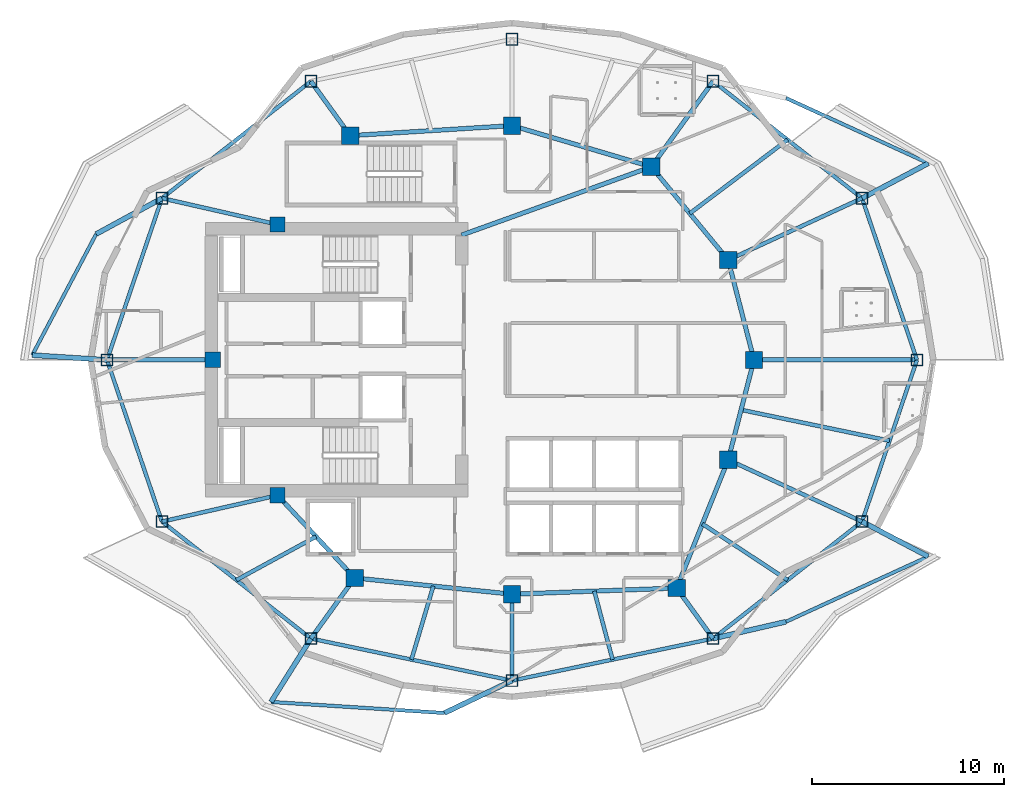
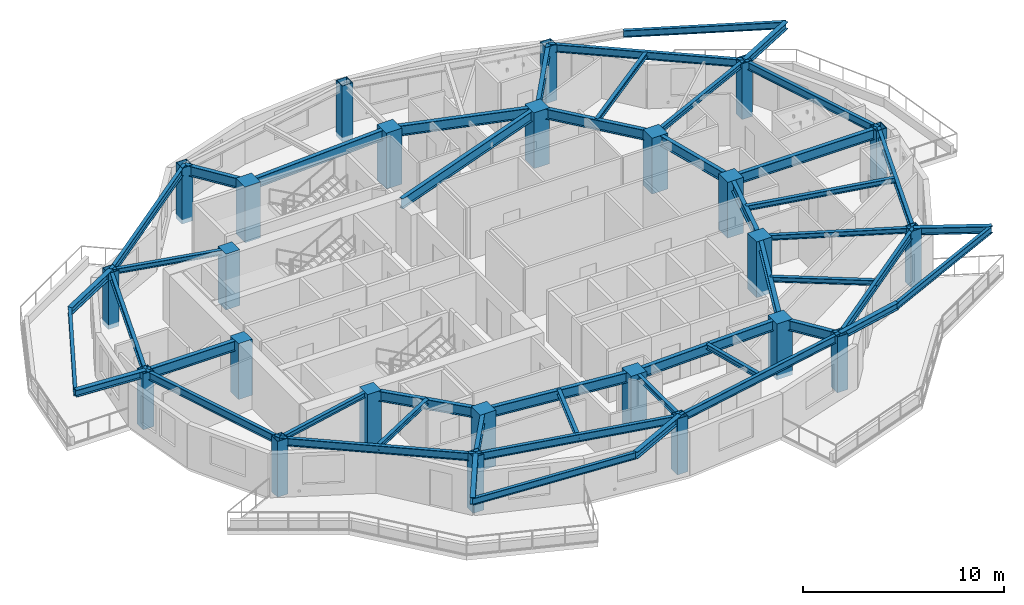
# One storey, part 1 of 10: 48 beams, 24 columns.
"""IFC4 building model written with IfcOpenShell, lengths in metres."""

from ifc_helpers import new_model, si_unit, direction, frame, origin, origin_2d, place, context, subcontext, project, spatial, rectangle, hollow_rectangle, i_section, extrude, material, material_profile, profile_set, type_object, element, save


model = new_model("IFC4")

# Units and contexts
model_context = context("Model", 3, precision=1e-05, world=origin(), true_north=direction((0.0, 1.0)))
body_context = subcontext(model_context, "Body", "Model", "MODEL_VIEW")
ifc_project = project(units=[si_unit("LENGTHUNIT", "METRE"), si_unit("AREAUNIT", "SQUARE_METRE"), si_unit("VOLUMEUNIT", "CUBIC_METRE"), si_unit("PLANEANGLEUNIT", "RADIAN"), si_unit("MASSUNIT", "GRAM", prefix="KILO")], contexts=[model_context])

# Site, building, storey
site_placement = place(None, origin())
site = spatial("IfcSite", under=ifc_project, at=site_placement, CompositionType="ELEMENT")
building_placement = place(site_placement, origin())
building = spatial("IfcBuilding", under=site, at=building_placement, Name="Kolvaren Gate Tower and Convention Centre", CompositionType="ELEMENT")
storey_placement = place(building_placement, frame((0.0, 0.0, 146.10009765625)))
storey = spatial("IfcBuildingStorey", under=building, at=storey_placement, Name="L37", CompositionType="ELEMENT", Elevation=146.10009765625)

# Columns
ifc_material_1 = material(Name="Structural steel ASTM A1085 Grade A 345 MPa", Category="steel")
ifc_material_profile_1 = material_profile(ifc_material_1, hollow_rectangle(XDim=0.610107421875, YDim=0.610107421875, WallThickness=0.025390625, at=origin_2d()), Name="HSS610X610X25.4")
ifc_profile_set_1 = profile_set([ifc_material_profile_1], Name="Structural steel ASTM A1085 Grade A 345 MPa")
column_type_1 = type_object("IfcColumnType", Name="STR-COL-HSS610", PredefinedType="COLUMN", material=ifc_profile_set_1)
for number, where, z_axis, x_axis, name in (
    (1, (51.21240234375, 27.0, -0.27001953125), (0.0, 0.0, 1.0), (1.0, 0.0, 0.0), "Tower L37 Perimeter Supercolumn TP-01"),
    (2, (48.351806640625, 35.418701171875, -0.27001953125), (0.0, 0.0, 1.0), (1.0, 0.0, 0.0), "Tower L37 Perimeter Supercolumn TP-02"),
    (3, (40.596435546875, 41.509521484375, -0.27001953125), (0.0, 0.0, 1.0), (1.0, 0.0, 0.0), "Tower L37 Perimeter Supercolumn TP-03"),
    (4, (30.125, 43.699951171875, -0.27001953125), (0.0, 0.0, 1.0), (1.0, 0.0, 0.0), "Tower L37 Perimeter Supercolumn TP-04"),
    (5, (19.65380859375, 41.509521484375, -0.27001953125), (0.0, 0.0, 1.0), (1.0, 0.0, 0.0), "Tower L37 Perimeter Supercolumn TP-05"),
    (6, (11.898193359375, 35.418701171875, -0.27001953125), (0.0, 0.0, 1.0), (1.0, 0.0, 0.0), "Tower L37 Perimeter Supercolumn TP-06"),
    (7, (9.03759765625, 27.0, -0.27001953125), (0.0, 0.0, 1.0), (1.0, 0.0, 0.0), "Tower L37 Perimeter Supercolumn TP-07"),
    (8, (11.898193359375, 18.581298828125, -0.27001953125), (0.0, 0.0, 1.0), (1.0, 0.0, 0.0), "Tower L37 Perimeter Supercolumn TP-08"),
    (9, (19.653564453125, 12.490478515625, -0.27001953125), (0.0, 0.0, 1.0), (1.0, 0.0, 0.0), "Tower L37 Perimeter Supercolumn TP-09"),
    (10, (30.125, 10.300048828125, -0.27001953125), (0.0, 0.0, 1.0), (1.0, 0.0, 0.0), "Tower L37 Perimeter Supercolumn TP-10"),
    (11, (40.596435546875, 12.490478515625, -0.27001953125), (0.0, 0.0, 1.0), (1.0, 0.0, 0.0), "Tower L37 Perimeter Supercolumn TP-11"),
    (12, (48.351806640625, 18.581298828125, -0.27001953125), (0.0, 0.0, 1.0), (1.0, 0.0, 0.0), "Tower L37 Perimeter Supercolumn TP-12"),
):
    element("IfcColumn", number, at=place(storey_placement, frame(where, z_axis=z_axis, x_axis=x_axis)), inside=storey, type_object=column_type_1, Name=name, PredefinedType="COLUMN", context=body_context, shape_type="SweptSolid", body=[
        extrude(hollow_rectangle(XDim=0.610107421875, YDim=0.610107421875, WallThickness=0.025390625, at=origin_2d()), origin(), (0.0, 0.0, 1.0), 3.39990234375),
    ])
ifc_material_2 = material(Name="Concrete C60/75", Category="concrete")
ifc_material_profile_2 = material_profile(ifc_material_2, rectangle(XDim=0.89990234375, YDim=0.89990234375, at=origin_2d()), Name="RC-COL-900X900")
ifc_profile_set_2 = profile_set([ifc_material_profile_2], Name="Concrete C60/75")
column_type_2 = type_object("IfcColumnType", Name="STR-COL-RC900", PredefinedType="COLUMN", material=ifc_profile_set_2)
for number, where, z_axis, x_axis, name in (
    (13, (42.72509765625, 27.0, -0.27001953125), (0.0, 0.0, 1.0), (1.0, 0.0, 0.0), "Tower L37 Interior Column TI-01"),
    (14, (41.382080078125, 32.199462890625, -0.27001953125), (0.0, 0.0, 1.0), (1.0, 0.0, 0.0), "Tower L37 Interior Column TI-02"),
    (15, (37.381591796875, 37.054931640625, -0.27001953125), (0.0, 0.0, 1.0), (1.0, 0.0, 0.0), "Tower L37 Interior Column TI-03"),
    (16, (30.125, 39.199951171875, -0.27001953125), (0.0, 0.0, 1.0), (1.0, 0.0, 0.0), "Tower L37 Interior Column TI-04"),
    (17, (21.697998046875, 38.6767578125, -0.27001953125), (0.0, 0.0, 1.0), (1.0, 0.0, 0.0), "Tower L37 Interior Column TI-05"),
    (18, (21.93212890625, 15.647705078125, -0.27001953125), (0.0, 0.0, 1.0), (1.0, 0.0, 0.0), "Tower L37 Interior Column TI-06"),
    (19, (30.125, 14.800048828125, -0.27001953125), (0.0, 0.0, 1.0), (1.0, 0.0, 0.0), "Tower L37 Interior Column TI-07"),
    (20, (38.6982421875, 15.12060546875, -0.27001953125), (0.0, 0.0, 1.0), (1.0, 0.0, 0.0), "Tower L37 Interior Column TI-08"),
    (21, (41.382080078125, 21.800537109375, -0.27001953125), (0.0, 0.0, 1.0), (1.0, 0.0, 0.0), "Tower L37 Interior Column TI-09"),
):
    element("IfcColumn", number, at=place(storey_placement, frame(where, z_axis=z_axis, x_axis=x_axis)), inside=storey, type_object=column_type_2, Name=name, PredefinedType="COLUMN", context=body_context, shape_type="SweptSolid", body=[
        extrude(rectangle(XDim=0.89990234375, YDim=0.89990234375, at=origin_2d()), origin(), (0.0, 0.0, 1.0), 3.39990234375),
    ])
ifc_material_profile_3 = material_profile(ifc_material_2, rectangle(XDim=0.800048828125, YDim=0.800048828125, at=origin_2d()), Name="RC-COL-800X800")
ifc_profile_set_3 = profile_set([ifc_material_profile_3], Name="Concrete C60/75")
column_type_3 = type_object("IfcColumnType", Name="STR-PIL-RC800", PredefinedType="PILASTER", material=ifc_profile_set_3)
for number, where, z_axis, x_axis, name in (
    (22, (17.9140625, 34.050048828125, -0.27001953125), (0.0, 0.0, 1.0), (1.0, 0.0, 0.0), "Tower L37 Core Boundary Pilaster TC-05"),
    (23, (14.550048828125, 27.0, -0.27001953125), (0.0, 0.0, 1.0), (1.0, 0.0, 0.0), "Tower L37 Core Boundary Pilaster TC-06"),
    (24, (17.9140625, 19.949951171875, -0.27001953125), (0.0, 0.0, 1.0), (1.0, 0.0, 0.0), "Tower L37 Core Boundary Pilaster TC-07"),
):
    element("IfcColumn", number, at=place(storey_placement, frame(where, z_axis=z_axis, x_axis=x_axis)), inside=storey, type_object=column_type_3, Name=name, PredefinedType="PILASTER", context=body_context, shape_type="SweptSolid", body=[
        extrude(rectangle(XDim=0.800048828125, YDim=0.800048828125, at=origin_2d()), origin(), (0.0, 0.0, 1.0), 3.39990234375),
    ])

# Beams
ifc_material_3 = material(Name="Structural steel ASTM A992 Grade 345 MPa", Category="steel")
ifc_material_profile_4 = material_profile(ifc_material_3, i_section(OverallWidth=0.260009765625, OverallDepth=0.419921875, WebThickness=0.013427734375, FlangeThickness=0.0224609375, at=origin_2d()), Name="W410X132")
ifc_profile_set_4 = profile_set([ifc_material_profile_4], Name="Structural steel ASTM A992 Grade 345 MPa")
beam_type_1 = type_object("IfcBeamType", Name="STR-BM-W410X132", PredefinedType="BEAM", material=ifc_profile_set_4)
for number, where, z_axis, x_axis, name in (
    (25, (48.351806640625, 35.418701171875, 2.92041015625), (0.884317267836, 0.466886463508, 0.0), (-0.466886463508, 0.884317267836, 0.0), "Tower L38 Planted Balcony Outrigger Cantilever BC-1A"),
    (26, (11.898193359375, 35.418701171875, 2.92041015625), (-0.878175335842, -0.47833887519, 0.0), (0.47833887519, -0.878175335842, 0.0), "Tower L38 Planted Balcony Outrigger Cantilever BC-2A"),
    (27, (9.03759765625, 27.0, 2.92041015625), (-0.997967389097, 0.063726684362, 0.0), (-0.063726684362, -0.997967389097, 0.0), "Tower L38 Planted Balcony Outrigger Cantilever BC-2B"),
):
    element("IfcBeam", number, at=place(storey_placement, frame(where, z_axis=z_axis, x_axis=x_axis)), inside=storey, type_object=beam_type_1, Name=name, PredefinedType="BEAM", context=body_context, shape_type="SweptSolid", body=[
        extrude(i_section(OverallWidth=0.260009765625, OverallDepth=0.419921875, WebThickness=0.013427734375, FlangeThickness=0.0224609375, at=origin_2d()), origin(), (0.0, 0.0, 1.0), 3.89990234375),
    ])
beam_1_placement = place(storey_placement, frame((19.653564453125, 12.490478515625, 2.92041015625), z_axis=(-0.532635592703, -0.846344684739, 0.0), x_axis=(0.846344684739, -0.532635592703, 0.0)))
element("IfcBeam", 28, at=beam_1_placement, inside=storey, type_object=beam_type_1, Name="Tower L38 Planted Balcony Outrigger Cantilever BC-3A", PredefinedType="BEAM", context=body_context, shape_type="SweptSolid", body=[
    extrude(i_section(OverallWidth=0.260009765625, OverallDepth=0.419921875, WebThickness=0.013427734375, FlangeThickness=0.0224609375, at=origin_2d()), origin(), (0.0, 0.0, 1.0), 3.899658203125),
])
beam_2_placement = place(storey_placement, frame((30.125, 10.300048828125, 2.92041015625), z_axis=(-0.901728089649, -0.432303657558, 0.0), x_axis=(0.432303657558, -0.901728089649, 0.0)))
element("IfcBeam", 29, at=beam_2_placement, inside=storey, type_object=beam_type_1, Name="Tower L38 Planted Balcony Outrigger Cantilever BC-3B", PredefinedType="BEAM", context=body_context, shape_type="SweptSolid", body=[
    extrude(i_section(OverallWidth=0.260009765625, OverallDepth=0.419921875, WebThickness=0.013427734375, FlangeThickness=0.0224609375, at=origin_2d()), origin(), (0.0, 0.0, 1.0), 3.900146484375),
])
for number, where, z_axis, x_axis, name in (
    (30, (40.596435546875, 12.490478515625, 2.92041015625), (0.974390140605, 0.224864078706, 0.0), (-0.224864078706, 0.974390140605, 0.0), "Tower L38 Planted Balcony Outrigger Cantilever BC-4A"),
    (31, (48.351806640625, 18.581298828125, 2.92041015625), (0.884317267836, -0.466886463508, 0.0), (0.466886463508, 0.884317267836, 0.0), "Tower L38 Planted Balcony Outrigger Cantilever BC-4B"),
):
    element("IfcBeam", number, at=place(storey_placement, frame(where, z_axis=z_axis, x_axis=x_axis)), inside=storey, type_object=beam_type_1, Name=name, PredefinedType="BEAM", context=body_context, shape_type="SweptSolid", body=[
        extrude(i_section(OverallWidth=0.260009765625, OverallDepth=0.419921875, WebThickness=0.013427734375, FlangeThickness=0.0224609375, at=origin_2d()), origin(), (0.0, 0.0, 1.0), 3.89990234375),
    ])
ifc_material_profile_5 = material_profile(ifc_material_3, i_section(OverallWidth=0.22998046875, OverallDepth=0.616943359375, WebThickness=0.01318359375, FlangeThickness=0.022216796875, at=origin_2d()), Name="W610X140")
ifc_profile_set_5 = profile_set([ifc_material_profile_5], Name="Structural steel ASTM A992 Grade 345 MPa")
beam_type_2 = type_object("IfcBeamType", Name="STR-BM-W610X140", PredefinedType="BEAM", material=ifc_profile_set_5)
beam_3_placement = place(storey_placement, frame((42.72509765625, 27.0, 2.8212890625), z_axis=(-0.250091133936, -0.968222301296, 0.0), x_axis=(0.968222301296, -0.250091133936, 0.0)))
element("IfcBeam", 32, at=beam_3_placement, inside=storey, type_object=beam_type_2, Name="Tower L37 Primary Ring Girder G-01", PredefinedType="BEAM", context=body_context, shape_type="SweptSolid", body=[
    extrude(i_section(OverallWidth=0.22998046875, OverallDepth=0.616943359375, WebThickness=0.01318359375, FlangeThickness=0.022216796875, at=origin_2d()), origin(), (0.0, 0.0, 1.0), 5.3701171875),
])
beam_4_placement = place(storey_placement, frame((41.382080078125, 32.199462890625, 2.8212890625), z_axis=(-0.635884066011, 0.771784590798, 0.0), x_axis=(-0.771784590798, -0.635884066011, 0.0)))
element("IfcBeam", 33, at=beam_4_placement, inside=storey, type_object=beam_type_2, Name="Tower L37 Primary Ring Girder G-02", PredefinedType="BEAM", context=body_context, shape_type="SweptSolid", body=[
    extrude(i_section(OverallWidth=0.22998046875, OverallDepth=0.616943359375, WebThickness=0.01318359375, FlangeThickness=0.022216796875, at=origin_2d()), origin(), (0.0, 0.0, 1.0), 6.291259765625),
])
beam_5_placement = place(storey_placement, frame((37.381591796875, 37.054931640625, 2.8212890625), z_axis=(-0.958980837827, 0.283470902706, 0.0), x_axis=(-0.283470902706, -0.958980837827, 0.0)))
element("IfcBeam", 34, at=beam_5_placement, inside=storey, type_object=beam_type_2, Name="Tower L37 Primary Ring Girder G-03", PredefinedType="BEAM", context=body_context, shape_type="SweptSolid", body=[
    extrude(i_section(OverallWidth=0.22998046875, OverallDepth=0.616943359375, WebThickness=0.01318359375, FlangeThickness=0.022216796875, at=origin_2d()), origin(), (0.0, 0.0, 1.0), 7.56689453125),
])
beam_6_placement = place(storey_placement, frame((30.125, 39.199951171875, 2.8212890625), z_axis=(-0.998078258568, -0.06196603726, 0.0), x_axis=(0.06196603726, -0.998078258568, 0.0)))
element("IfcBeam", 35, at=beam_6_placement, inside=storey, type_object=beam_type_2, Name="Tower L37 Primary Ring Girder G-04", PredefinedType="BEAM", context=body_context, shape_type="SweptSolid", body=[
    extrude(i_section(OverallWidth=0.22998046875, OverallDepth=0.616943359375, WebThickness=0.01318359375, FlangeThickness=0.022216796875, at=origin_2d()), origin(), (0.0, 0.0, 1.0), 8.443115234375),
])
beam_7_placement = place(storey_placement, frame((17.9140625, 19.949951171875, 2.8212890625), z_axis=(0.682557592987, -0.730831808459, 0.0), x_axis=(0.730831808459, 0.682557592987, 0.0)))
element("IfcBeam", 36, at=beam_7_placement, inside=storey, type_object=beam_type_2, Name="Tower L37 Primary Ring Girder G-06", PredefinedType="BEAM", context=body_context, shape_type="SweptSolid", body=[
    extrude(i_section(OverallWidth=0.22998046875, OverallDepth=0.616943359375, WebThickness=0.01318359375, FlangeThickness=0.022216796875, at=origin_2d()), origin(), (0.0, 0.0, 1.0), 5.88671875),
])
beam_8_placement = place(storey_placement, frame((21.93212890625, 15.647705078125, 2.8212890625), z_axis=(0.994690329115, -0.102913308978, 0.0), x_axis=(0.102913308978, 0.994690329115, 0.0)))
element("IfcBeam", 37, at=beam_8_placement, inside=storey, type_object=beam_type_2, Name="Tower L37 Primary Ring Girder G-07", PredefinedType="BEAM", context=body_context, shape_type="SweptSolid", body=[
    extrude(i_section(OverallWidth=0.22998046875, OverallDepth=0.616943359375, WebThickness=0.01318359375, FlangeThickness=0.022216796875, at=origin_2d()), origin(), (0.0, 0.0, 1.0), 8.236572265625),
])
beam_9_placement = place(storey_placement, frame((30.125, 14.800048828125, 2.8212890625), z_axis=(0.999301712453, 0.037364254142, 0.0), x_axis=(-0.037364254142, 0.999301712453, 0.0)))
element("IfcBeam", 38, at=beam_9_placement, inside=storey, type_object=beam_type_2, Name="Tower L37 Primary Ring Girder G-08", PredefinedType="BEAM", context=body_context, shape_type="SweptSolid", body=[
    extrude(i_section(OverallWidth=0.22998046875, OverallDepth=0.616943359375, WebThickness=0.01318359375, FlangeThickness=0.022216796875, at=origin_2d()), origin(), (0.0, 0.0, 1.0), 8.579345703125),
])
beam_10_placement = place(storey_placement, frame((38.6982421875, 15.12060546875, 2.8212890625), z_axis=(0.372811100169, 0.927907260232, 0.0), x_axis=(-0.927907260232, 0.372811100169, 0.0)))
element("IfcBeam", 39, at=beam_10_placement, inside=storey, type_object=beam_type_2, Name="Tower L37 Primary Ring Girder G-09", PredefinedType="BEAM", context=body_context, shape_type="SweptSolid", body=[
    extrude(i_section(OverallWidth=0.22998046875, OverallDepth=0.616943359375, WebThickness=0.01318359375, FlangeThickness=0.022216796875, at=origin_2d()), origin(), (0.0, 0.0, 1.0), 7.198974609375),
])
beam_11_placement = place(storey_placement, frame((27.5, 33.5, 2.8212890625), z_axis=(0.940961479908, 0.338513653093, 0.0), x_axis=(-0.338513653093, 0.940961479908, 0.0)))
element("IfcBeam", 40, at=beam_11_placement, inside=storey, type_object=beam_type_2, Name="Tower L37 Primary Ring Girder G-10", PredefinedType="BEAM", context=body_context, shape_type="SweptSolid", body=[
    extrude(i_section(OverallWidth=0.22998046875, OverallDepth=0.616943359375, WebThickness=0.01318359375, FlangeThickness=0.022216796875, at=origin_2d()), origin(), (0.0, 0.0, 1.0), 10.501708984375),
])
beam_12_placement = place(storey_placement, frame((42.72509765625, 27.0, 2.8212890625), z_axis=(-0.250091133936, 0.968222301296, 0.0), x_axis=(-0.968222301296, -0.250091133936, 0.0)))
element("IfcBeam", 41, at=beam_12_placement, inside=storey, type_object=beam_type_2, Name="Tower L37 Primary Ring Girder G-12", PredefinedType="BEAM", context=body_context, shape_type="SweptSolid", body=[
    extrude(i_section(OverallWidth=0.22998046875, OverallDepth=0.616943359375, WebThickness=0.01318359375, FlangeThickness=0.022216796875, at=origin_2d()), origin(), (0.0, 0.0, 1.0), 5.3701171875),
])
beam_13_placement = place(storey_placement, frame((42.72509765625, 27.0, 2.8212890625), z_axis=(1.0, 0.0, 0.0), x_axis=(0.0, 1.0, 0.0)))
element("IfcBeam", 42, at=beam_13_placement, inside=storey, type_object=beam_type_2, Name="Tower L37 Radial Floor Girder RB-01", PredefinedType="BEAM", context=body_context, shape_type="SweptSolid", body=[
    extrude(i_section(OverallWidth=0.22998046875, OverallDepth=0.616943359375, WebThickness=0.01318359375, FlangeThickness=0.022216796875, at=origin_2d()), origin(), (0.0, 0.0, 1.0), 8.4873046875),
])
beam_14_placement = place(storey_placement, frame((37.381591796875, 37.054931640625, 2.8212890625), z_axis=(0.58520818289, 0.810883088169, 0.0), x_axis=(-0.810883088169, 0.58520818289, 0.0)))
element("IfcBeam", 43, at=beam_14_placement, inside=storey, type_object=beam_type_2, Name="Tower L37 Radial Floor Girder RB-03", PredefinedType="BEAM", context=body_context, shape_type="SweptSolid", body=[
    extrude(i_section(OverallWidth=0.22998046875, OverallDepth=0.616943359375, WebThickness=0.01318359375, FlangeThickness=0.022216796875, at=origin_2d()), origin(), (0.0, 0.0, 1.0), 5.493408203125),
])
beam_15_placement = place(storey_placement, frame((21.697998046875, 38.6767578125, 2.8212890625), z_axis=(-0.585171547435, 0.810909526441, 0.0), x_axis=(-0.810909526441, -0.585171547435, 0.0)))
element("IfcBeam", 44, at=beam_15_placement, inside=storey, type_object=beam_type_2, Name="Tower L37 Radial Floor Girder RB-05", PredefinedType="BEAM", context=body_context, shape_type="SweptSolid", body=[
    extrude(i_section(OverallWidth=0.22998046875, OverallDepth=0.616943359375, WebThickness=0.01318359375, FlangeThickness=0.022216796875, at=origin_2d()), origin(), (0.0, 0.0, 1.0), 3.493408203125),
])
beam_16_placement = place(storey_placement, frame((14.550048828125, 27.0, 2.8212890625), z_axis=(-1.0, 0.0, 0.0), x_axis=(0.0, -1.0, 0.0)))
element("IfcBeam", 45, at=beam_16_placement, inside=storey, type_object=beam_type_2, Name="Tower L37 Radial Floor Girder RB-07", PredefinedType="BEAM", context=body_context, shape_type="SweptSolid", body=[
    extrude(i_section(OverallWidth=0.22998046875, OverallDepth=0.616943359375, WebThickness=0.01318359375, FlangeThickness=0.022216796875, at=origin_2d()), origin(), (0.0, 0.0, 1.0), 5.512451171875),
])
beam_17_placement = place(storey_placement, frame((21.93212890625, 15.647705078125, 2.8212890625), z_axis=(-0.585211215329, -0.810880899672, 0.0), x_axis=(0.810880899672, -0.585211215329, 0.0)))
element("IfcBeam", 46, at=beam_17_placement, inside=storey, type_object=beam_type_2, Name="Tower L37 Radial Floor Girder RB-09", PredefinedType="BEAM", context=body_context, shape_type="SweptSolid", body=[
    extrude(i_section(OverallWidth=0.22998046875, OverallDepth=0.616943359375, WebThickness=0.01318359375, FlangeThickness=0.022216796875, at=origin_2d()), origin(), (0.0, 0.0, 1.0), 3.8935546875),
])
beam_18_placement = place(storey_placement, frame((38.6982421875, 15.12060546875, 2.8212890625), z_axis=(0.58521845229, -0.810875676722, 0.0), x_axis=(0.810875676722, 0.58521845229, 0.0)))
element("IfcBeam", 47, at=beam_18_placement, inside=storey, type_object=beam_type_2, Name="Tower L37 Radial Floor Girder RB-11", PredefinedType="BEAM", context=body_context, shape_type="SweptSolid", body=[
    extrude(i_section(OverallWidth=0.22998046875, OverallDepth=0.616943359375, WebThickness=0.01318359375, FlangeThickness=0.022216796875, at=origin_2d()), origin(), (0.0, 0.0, 1.0), 3.24365234375),
])
ifc_material_profile_6 = material_profile(ifc_material_3, i_section(OverallWidth=0.205078125, OverallDepth=0.31005859375, WebThickness=0.009521484375, FlangeThickness=0.016357421875, at=origin_2d()), Name="W310X74")
ifc_profile_set_6 = profile_set([ifc_material_profile_6], Name="Structural steel ASTM A992 Grade 345 MPa")
beam_type_3 = type_object("IfcBeamType", Name="STR-JS-W310X74", PredefinedType="JOIST", material=ifc_profile_set_6)
beam_19_placement = place(storey_placement, frame((41.382080078125, 32.199462890625, 2.974853515625), z_axis=(0.907838349939, 0.419320319542, 0.0), x_axis=(-0.419320319542, 0.907838349939, 0.0)))
element("IfcBeam", 48, at=beam_19_placement, inside=storey, type_object=beam_type_3, Name="Tower L37 Radial Floor Girder RB-02", PredefinedType="JOIST", context=body_context, shape_type="SweptSolid", body=[
    extrude(i_section(OverallWidth=0.205078125, OverallDepth=0.31005859375, WebThickness=0.009521484375, FlangeThickness=0.016357421875, at=origin_2d()), origin(), (0.0, 0.0, 1.0), 7.67724609375),
])
for number, where, z_axis, x_axis, name in (
    (49, (17.9140625, 34.050048828125, 2.974853515625), (-0.975083464295, 0.221838314226, 0.0), (-0.221838314226, -0.975083464295, 0.0), "Tower L37 Radial Floor Girder RB-06"),
    (50, (17.9140625, 19.949951171875, 2.974853515625), (-0.975083464295, -0.221838314226, 0.0), (0.221838314226, -0.975083464295, 0.0), "Tower L37 Radial Floor Girder RB-08"),
):
    element("IfcBeam", number, at=place(storey_placement, frame(where, z_axis=z_axis, x_axis=x_axis)), inside=storey, type_object=beam_type_3, Name=name, PredefinedType="JOIST", context=body_context, shape_type="SweptSolid", body=[
        extrude(i_section(OverallWidth=0.205078125, OverallDepth=0.31005859375, WebThickness=0.009521484375, FlangeThickness=0.016357421875, at=origin_2d()), origin(), (0.0, 0.0, 1.0), 6.169677734375),
    ])
beam_20_placement = place(storey_placement, frame((30.125, 14.800048828125, 2.974853515625), z_axis=(0.0, -1.0, 0.0), x_axis=(1.0, 0.0, 0.0)))
element("IfcBeam", 51, at=beam_20_placement, inside=storey, type_object=beam_type_3, Name="Tower L37 Radial Floor Girder RB-10", PredefinedType="JOIST", context=body_context, shape_type="SweptSolid", body=[
    extrude(i_section(OverallWidth=0.205078125, OverallDepth=0.31005859375, WebThickness=0.009521484375, FlangeThickness=0.016357421875, at=origin_2d()), origin(), (0.0, 0.0, 1.0), 4.5),
])
beam_21_placement = place(storey_placement, frame((41.382080078125, 21.800537109375, 2.974853515625), z_axis=(0.907838349939, -0.419320319542, 0.0), x_axis=(0.419320319542, 0.907838349939, 0.0)))
element("IfcBeam", 52, at=beam_21_placement, inside=storey, type_object=beam_type_3, Name="Tower L37 Radial Floor Girder RB-12", PredefinedType="JOIST", context=body_context, shape_type="SweptSolid", body=[
    extrude(i_section(OverallWidth=0.205078125, OverallDepth=0.31005859375, WebThickness=0.009521484375, FlangeThickness=0.016357421875, at=origin_2d()), origin(), (0.0, 0.0, 1.0), 7.67724609375),
])
beam_22_placement = place(storey_placement, frame((39.3818359375, 34.627197265625, 2.974853515625), z_axis=(0.798665513939, 0.601775204577, 0.0), x_axis=(-0.601775204577, 0.798665513939, 0.0)))
element("IfcBeam", 53, at=beam_22_placement, inside=storey, type_object=beam_type_3, Name="Tower L37 Secondary Composite Floor Joist J-02.1", PredefinedType="JOIST", context=body_context, shape_type="SweptSolid", body=[
    extrude(i_section(OverallWidth=0.205078125, OverallDepth=0.31005859375, WebThickness=0.009521484375, FlangeThickness=0.016357421875, at=origin_2d()), origin(), (0.0, 0.0, 1.0), 6.3759765625),
])
beam_23_placement = place(storey_placement, frame((19.923095703125, 17.798828125, 2.974853515625), z_axis=(-0.877822491981, -0.478986088078, 0.0), x_axis=(0.478986088078, -0.877822491981, 0.0)))
element("IfcBeam", 54, at=beam_23_placement, inside=storey, type_object=beam_type_3, Name="Tower L37 Secondary Composite Floor Joist J-08.1", PredefinedType="JOIST", context=body_context, shape_type="SweptSolid", body=[
    extrude(i_section(OverallWidth=0.205078125, OverallDepth=0.31005859375, WebThickness=0.009521484375, FlangeThickness=0.016357421875, at=origin_2d()), origin(), (0.0, 0.0, 1.0), 4.724365234375),
])
beam_24_placement = place(storey_placement, frame((26.028564453125, 15.223876953125, 2.974853515625), z_axis=(-0.28518274301, -0.958473162425, 0.0), x_axis=(0.958473162425, -0.28518274301, 0.0)))
element("IfcBeam", 55, at=beam_24_placement, inside=storey, type_object=beam_type_3, Name="Tower L37 Secondary Composite Floor Joist J-09.1", PredefinedType="JOIST", context=body_context, shape_type="SweptSolid", body=[
    extrude(i_section(OverallWidth=0.205078125, OverallDepth=0.31005859375, WebThickness=0.009521484375, FlangeThickness=0.016357421875, at=origin_2d()), origin(), (0.0, 0.0, 1.0), 3.994384765625),
])
beam_25_placement = place(storey_placement, frame((34.41162109375, 14.960205078125, 2.974853515625), z_axis=(0.257238365181, -0.966347982602, 0.0), x_axis=(0.966347982602, 0.257238365181, 0.0)))
element("IfcBeam", 56, at=beam_25_placement, inside=storey, type_object=beam_type_3, Name="Tower L37 Secondary Composite Floor Joist J-10.1", PredefinedType="JOIST", context=body_context, shape_type="SweptSolid", body=[
    extrude(i_section(OverallWidth=0.205078125, OverallDepth=0.31005859375, WebThickness=0.009521484375, FlangeThickness=0.016357421875, at=origin_2d()), origin(), (0.0, 0.0, 1.0), 3.68896484375),
])
beam_26_placement = place(storey_placement, frame((40.040283203125, 18.46044921875, 2.974853515625), z_axis=(0.834762790112, -0.550609738602, 0.0), x_axis=(0.550609738602, 0.834762790112, 0.0)))
element("IfcBeam", 57, at=beam_26_placement, inside=storey, type_object=beam_type_3, Name="Tower L37 Secondary Composite Floor Joist J-11.1", PredefinedType="JOIST", context=body_context, shape_type="SweptSolid", body=[
    extrude(i_section(OverallWidth=0.205078125, OverallDepth=0.31005859375, WebThickness=0.009521484375, FlangeThickness=0.016357421875, at=origin_2d()), origin(), (0.0, 0.0, 1.0), 5.3115234375),
])
beam_27_placement = place(storey_placement, frame((42.0537109375, 24.400146484375, 2.974853515625), z_axis=(0.978997655145, -0.203871506641, 0.0), x_axis=(0.203871506641, 0.978997655145, 0.0)))
element("IfcBeam", 58, at=beam_27_placement, inside=storey, type_object=beam_type_3, Name="Tower L37 Secondary Composite Floor Joist J-12.1", PredefinedType="JOIST", context=body_context, shape_type="SweptSolid", body=[
    extrude(i_section(OverallWidth=0.205078125, OverallDepth=0.31005859375, WebThickness=0.009521484375, FlangeThickness=0.016357421875, at=origin_2d()), origin(), (0.0, 0.0, 1.0), 7.89404296875),
])
ifc_material_profile_7 = material_profile(ifc_material_3, i_section(OverallWidth=0.180908203125, OverallDepth=0.4169921875, WebThickness=0.010986328125, FlangeThickness=0.018310546875, at=origin_2d()), Name="W410X85")
ifc_profile_set_7 = profile_set([ifc_material_profile_7], Name="Structural steel ASTM A992 Grade 345 MPa")
beam_type_4 = type_object("IfcBeamType", Name="STR-SP-W410X85", PredefinedType="SPANDREL", material=ifc_profile_set_7)
beam_28_placement = place(storey_placement, frame((51.800537109375, 37.239501953125, 2.921875), z_axis=(-0.909086110351, 0.416608262, 0.0), x_axis=(-0.416608262, -0.909086110351, 0.0)))
element("IfcBeam", 59, at=beam_28_placement, inside=storey, type_object=beam_type_4, Name="Tower L38 Planted Balcony Header Tie Beam BT-1", PredefinedType="SPANDREL", context=body_context, shape_type="SweptSolid", body=[
    extrude(i_section(OverallWidth=0.180908203125, OverallDepth=0.4169921875, WebThickness=0.010986328125, FlangeThickness=0.018310546875, at=origin_2d()), origin(), (0.0, 0.0, 1.0), 8.14453125),
])
beam_29_placement = place(storey_placement, frame((8.473388671875, 33.55322265625, 2.921875), z_axis=(-0.466803260322, -0.884361191003, 0.0), x_axis=(0.884361191003, -0.466803260322, 0.0)))
element("IfcBeam", 60, at=beam_29_placement, inside=storey, type_object=beam_type_4, Name="Tower L38 Planted Balcony Header Tie Beam BT-2", PredefinedType="SPANDREL", context=body_context, shape_type="SweptSolid", body=[
    extrude(i_section(OverallWidth=0.180908203125, OverallDepth=0.4169921875, WebThickness=0.010986328125, FlangeThickness=0.018310546875, at=origin_2d()), origin(), (0.0, 0.0, 1.0), 7.129150390625),
])
beam_30_placement = place(storey_placement, frame((17.576416015625, 9.18994140625, 2.921875), z_axis=(0.997973058085, -0.063637845165, 0.0), x_axis=(0.063637845165, 0.997973058085, 0.0)))
element("IfcBeam", 61, at=beam_30_placement, inside=storey, type_object=beam_type_4, Name="Tower L38 Planted Balcony Header Tie Beam BT-3", PredefinedType="SPANDREL", context=body_context, shape_type="SweptSolid", body=[
    extrude(i_section(OverallWidth=0.180908203125, OverallDepth=0.4169921875, WebThickness=0.010986328125, FlangeThickness=0.018310546875, at=origin_2d()), origin(), (0.0, 0.0, 1.0), 9.050048828125),
])
beam_31_placement = place(storey_placement, frame((44.396484375, 13.367431640625, 2.921875), z_axis=(0.909086110351, 0.416608262, 0.0), x_axis=(-0.416608262, 0.909086110351, 0.0)))
element("IfcBeam", 62, at=beam_31_placement, inside=storey, type_object=beam_type_4, Name="Tower L38 Planted Balcony Header Tie Beam BT-4", PredefinedType="SPANDREL", context=body_context, shape_type="SweptSolid", body=[
    extrude(i_section(OverallWidth=0.180908203125, OverallDepth=0.4169921875, WebThickness=0.010986328125, FlangeThickness=0.018310546875, at=origin_2d()), origin(), (0.0, 0.0, 1.0), 8.14453125),
])
ifc_material_profile_8 = material_profile(ifc_material_3, i_section(OverallWidth=0.194091796875, OverallDepth=0.468994140625, WebThickness=0.0126953125, FlangeThickness=0.0205078125, at=origin_2d()), Name="W460X106")
ifc_profile_set_8 = profile_set([ifc_material_profile_8], Name="Structural steel ASTM A992 Grade 345 MPa")
beam_type_5 = type_object("IfcBeamType", Name="STR-SP-W460X106", PredefinedType="SPANDREL", material=ifc_profile_set_8)
beam_32_placement = place(storey_placement, frame((51.21240234375, 27.0, 2.8955078125), z_axis=(-0.321725023609, 0.946833147489, 0.0), x_axis=(-0.946833147489, -0.321725023609, 0.0)))
element("IfcBeam", 63, at=beam_32_placement, inside=storey, type_object=beam_type_5, Name="Tower L37 Perimeter Spandrel Beam SP-01", PredefinedType="SPANDREL", context=body_context, shape_type="SweptSolid", body=[
    extrude(i_section(OverallWidth=0.194091796875, OverallDepth=0.468994140625, WebThickness=0.0126953125, FlangeThickness=0.0205078125, at=origin_2d()), origin(), (0.0, 0.0, 1.0), 8.891357421875),
])
for number, where, z_axis, x_axis, name in (
    (64, (48.351806640625, 35.418701171875, 2.8955078125), (-0.786450621777, 0.617653154697, 0.0), (-0.617653154697, -0.786450621777, 0.0), "Tower L37 Perimeter Spandrel Beam SP-02"),
    (65, (19.65380859375, 41.509521484375, 2.8955078125), (-0.786460066421, -0.617641128752, 0.0), (0.617641128752, -0.786460066421, 0.0), "Tower L37 Perimeter Spandrel Beam SP-05"),
):
    element("IfcBeam", number, at=place(storey_placement, frame(where, z_axis=z_axis, x_axis=x_axis)), inside=storey, type_object=beam_type_5, Name=name, PredefinedType="SPANDREL", context=body_context, shape_type="SweptSolid", body=[
        extrude(i_section(OverallWidth=0.194091796875, OverallDepth=0.468994140625, WebThickness=0.0126953125, FlangeThickness=0.0205078125, at=origin_2d()), origin(), (0.0, 0.0, 1.0), 9.861328125),
    ])
for number, where, z_axis, x_axis, name in (
    (66, (11.898193359375, 35.418701171875, 2.8955078125), (-0.321725023609, -0.946833147489, 0.0), (0.946833147489, -0.321725023609, 0.0), "Tower L37 Perimeter Spandrel Beam SP-06"),
    (67, (9.03759765625, 27.0, 2.8955078125), (0.321725023609, -0.946833147489, 0.0), (0.946833147489, 0.321725023609, 0.0), "Tower L37 Perimeter Spandrel Beam SP-07"),
):
    element("IfcBeam", number, at=place(storey_placement, frame(where, z_axis=z_axis, x_axis=x_axis)), inside=storey, type_object=beam_type_5, Name=name, PredefinedType="SPANDREL", context=body_context, shape_type="SweptSolid", body=[
        extrude(i_section(OverallWidth=0.194091796875, OverallDepth=0.468994140625, WebThickness=0.0126953125, FlangeThickness=0.0205078125, at=origin_2d()), origin(), (0.0, 0.0, 1.0), 8.891357421875),
    ])
beam_33_placement = place(storey_placement, frame((11.898193359375, 18.581298828125, 2.8955078125), z_axis=(0.786450621777, -0.617653154697, 0.0), x_axis=(0.617653154697, 0.786450621777, 0.0)))
element("IfcBeam", 68, at=beam_33_placement, inside=storey, type_object=beam_type_5, Name="Tower L37 Perimeter Spandrel Beam SP-08", PredefinedType="SPANDREL", context=body_context, shape_type="SweptSolid", body=[
    extrude(i_section(OverallWidth=0.194091796875, OverallDepth=0.468994140625, WebThickness=0.0126953125, FlangeThickness=0.0205078125, at=origin_2d()), origin(), (0.0, 0.0, 1.0), 9.861328125),
])
for number, where, z_axis, x_axis, name in (
    (69, (19.653564453125, 12.490478515625, 2.8955078125), (0.978814350133, -0.204749769168, 0.0), (0.204749769168, 0.978814350133, 0.0), "Tower L37 Perimeter Spandrel Beam SP-09"),
    (70, (30.125, 10.300048828125, 2.8955078125), (0.978814350133, 0.204749769168, 0.0), (-0.204749769168, 0.978814350133, 0.0), "Tower L37 Perimeter Spandrel Beam SP-10"),
):
    element("IfcBeam", number, at=place(storey_placement, frame(where, z_axis=z_axis, x_axis=x_axis)), inside=storey, type_object=beam_type_5, Name=name, PredefinedType="SPANDREL", context=body_context, shape_type="SweptSolid", body=[
        extrude(i_section(OverallWidth=0.194091796875, OverallDepth=0.468994140625, WebThickness=0.0126953125, FlangeThickness=0.0205078125, at=origin_2d()), origin(), (0.0, 0.0, 1.0), 10.697998046875),
    ])
beam_34_placement = place(storey_placement, frame((40.596435546875, 12.490478515625, 2.8955078125), z_axis=(0.786450621777, 0.617653154697, 0.0), x_axis=(-0.617653154697, 0.786450621777, 0.0)))
element("IfcBeam", 71, at=beam_34_placement, inside=storey, type_object=beam_type_5, Name="Tower L37 Perimeter Spandrel Beam SP-11", PredefinedType="SPANDREL", context=body_context, shape_type="SweptSolid", body=[
    extrude(i_section(OverallWidth=0.194091796875, OverallDepth=0.468994140625, WebThickness=0.0126953125, FlangeThickness=0.0205078125, at=origin_2d()), origin(), (0.0, 0.0, 1.0), 9.861328125),
])
beam_35_placement = place(storey_placement, frame((48.351806640625, 18.581298828125, 2.8955078125), z_axis=(0.321725023609, 0.946833147489, 0.0), x_axis=(-0.946833147489, 0.321725023609, 0.0)))
element("IfcBeam", 72, at=beam_35_placement, inside=storey, type_object=beam_type_5, Name="Tower L37 Perimeter Spandrel Beam SP-12", PredefinedType="SPANDREL", context=body_context, shape_type="SweptSolid", body=[
    extrude(i_section(OverallWidth=0.194091796875, OverallDepth=0.468994140625, WebThickness=0.0126953125, FlangeThickness=0.0205078125, at=origin_2d()), origin(), (0.0, 0.0, 1.0), 8.891357421875),
])

save(model, "model.ifc")
